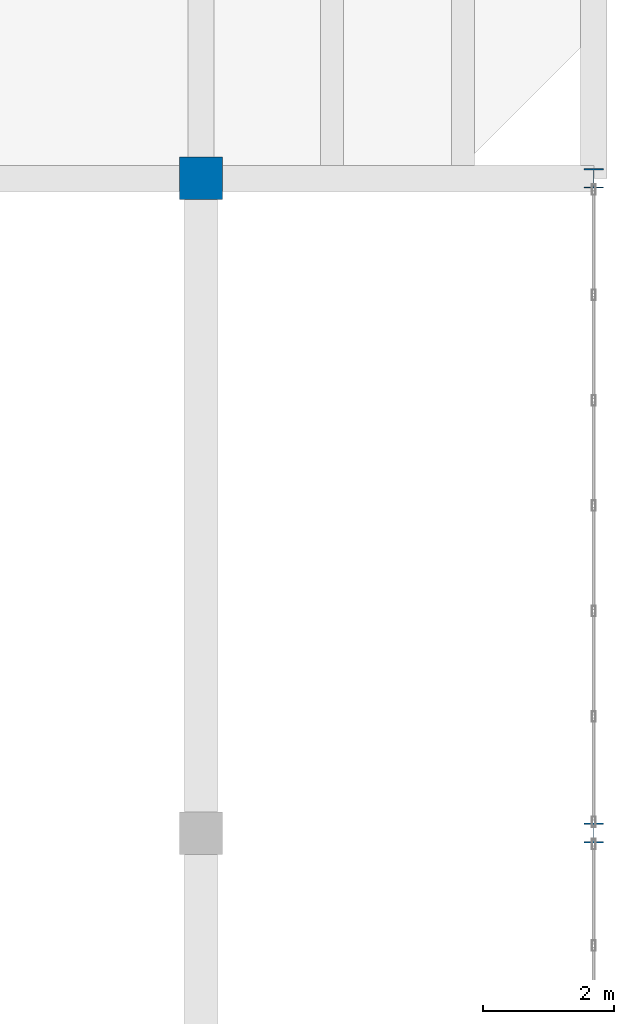
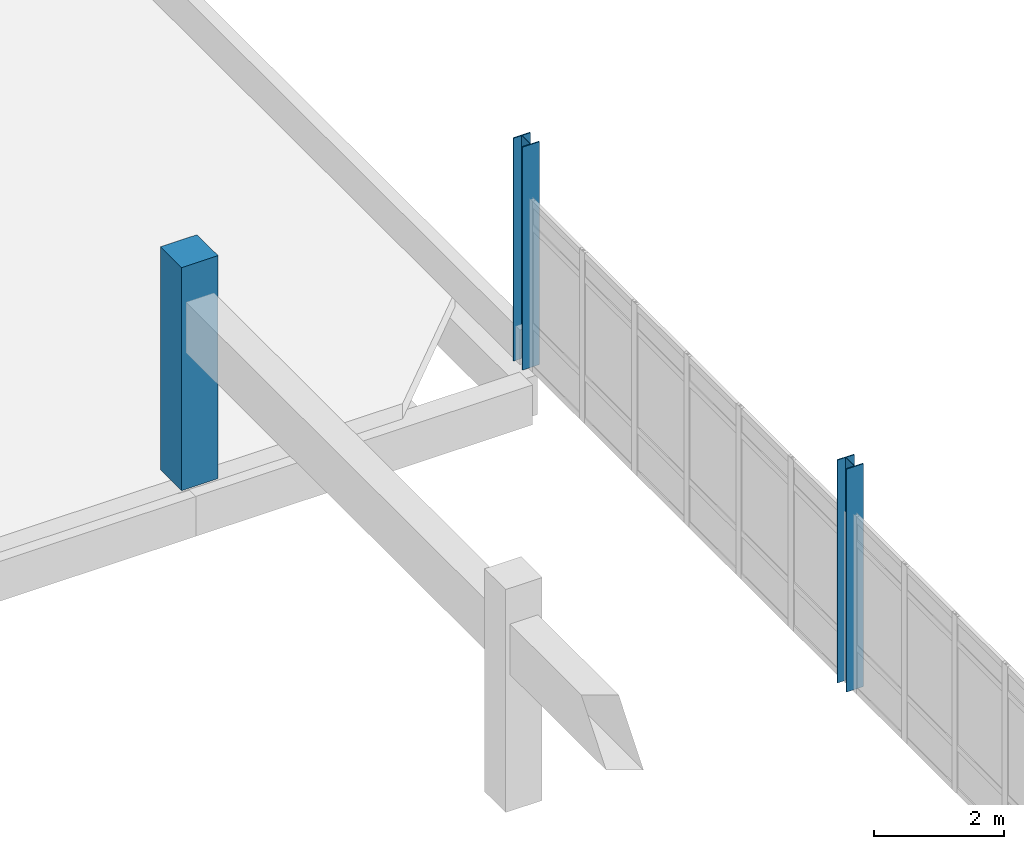
# One storey, part 4 of 111: 3 columns.
"""IFC4 building model written with IfcOpenShell, lengths in metres."""

from ifc_helpers import new_model, si_unit, direction, frame, origin, origin_2d, place, context, subcontext, project, spatial, rectangle, i_section, extrude, material, material_profile, profile_set, type_object, element, save


model = new_model("IFC4")

# Units and contexts
model_context = context("Model", 3, precision=1e-05, world=origin(), true_north=direction((0.0, 1.0)))
body_context = subcontext(model_context, "Body", "Model", "MODEL_VIEW")
ifc_project = project(units=[si_unit("LENGTHUNIT", "METRE"), si_unit("AREAUNIT", "SQUARE_METRE"), si_unit("VOLUMEUNIT", "CUBIC_METRE"), si_unit("PLANEANGLEUNIT", "RADIAN"), si_unit("MASSUNIT", "GRAM", prefix="KILO")], contexts=[model_context])

# Site, building, storey
site_placement = place(None, origin())
site = spatial("IfcSite", under=ifc_project, at=site_placement, CompositionType="ELEMENT")
building_placement = place(site_placement, origin())
building = spatial("IfcBuilding", under=site, at=building_placement, Name="Mersad Railyard Sports Hall", CompositionType="ELEMENT")
storey_placement = place(building_placement, frame((0.0, 0.0, 9.0)))
storey = spatial("IfcBuildingStorey", under=building, at=storey_placement, Name="L02", CompositionType="ELEMENT", Elevation=9.0)

# Columns
ifc_material_1 = material(Name="Concrete C40/50", Category="concrete")
ifc_material_profile_1 = material_profile(ifc_material_1, rectangle(XDim=0.64990234375, YDim=0.64990234375, at=origin_2d()), Name="RC 650x650")
ifc_profile_set_1 = profile_set([ifc_material_profile_1], Name="Concrete C40/50")
column_type_1 = type_object("IfcColumnType", Name="STR-COL-C04", PredefinedType="COLUMN", material=ifc_profile_set_1)
column_placement = place(storey_placement, frame((173.0, 95.0, 0.0), z_axis=(0.0, 0.0, 1.0), x_axis=(1.0, 0.0, 0.0)))
element("IfcColumn", 1, at=column_placement, inside=storey, type_object=column_type_1, Name="Column C04 L02 (173.0,95.0)", PredefinedType="COLUMN", context=body_context, shape_type="SweptSolid", body=[
    extrude(rectangle(XDim=0.64990234375, YDim=0.64990234375, at=origin_2d()), origin(), (0.0, 0.0, 1.0), 4.199951171875),
])
ifc_material_2 = material(Name="Steel S355", Category="steel")
ifc_material_profile_2 = material_profile(ifc_material_2, i_section(OverallWidth=0.300048828125, OverallDepth=0.300048828125, WebThickness=0.010986328125, FlangeThickness=0.01904296875, at=origin_2d()), Name="HEB 300")
ifc_profile_set_2 = profile_set([ifc_material_profile_2], Name="Steel S355")
column_type_2 = type_object("IfcColumnType", Name="STR-COL-C10", PredefinedType="COLUMN", material=ifc_profile_set_2)
for number, where, z_axis, x_axis, name in (
    (2, (179.0, 85.0, 0.0), (0.0, 0.0, 1.0), (1.0, 0.0, 0.0), "Column C10 L02 (179.0,85.0)"),
    (3, (179.0, 95.0, 0.0), (0.0, 0.0, 1.0), (1.0, 0.0, 0.0), "Column C10 L02 (179.0,95.0)"),
):
    element("IfcColumn", number, at=place(storey_placement, frame(where, z_axis=z_axis, x_axis=x_axis)), inside=storey, type_object=column_type_2, Name=name, PredefinedType="COLUMN", context=body_context, shape_type="SweptSolid", body=[
        extrude(i_section(OverallWidth=0.300048828125, OverallDepth=0.300048828125, WebThickness=0.010986328125, FlangeThickness=0.01904296875, at=origin_2d()), origin(), (0.0, 0.0, 1.0), 4.199951171875),
    ])

save(model, "model.ifc")
